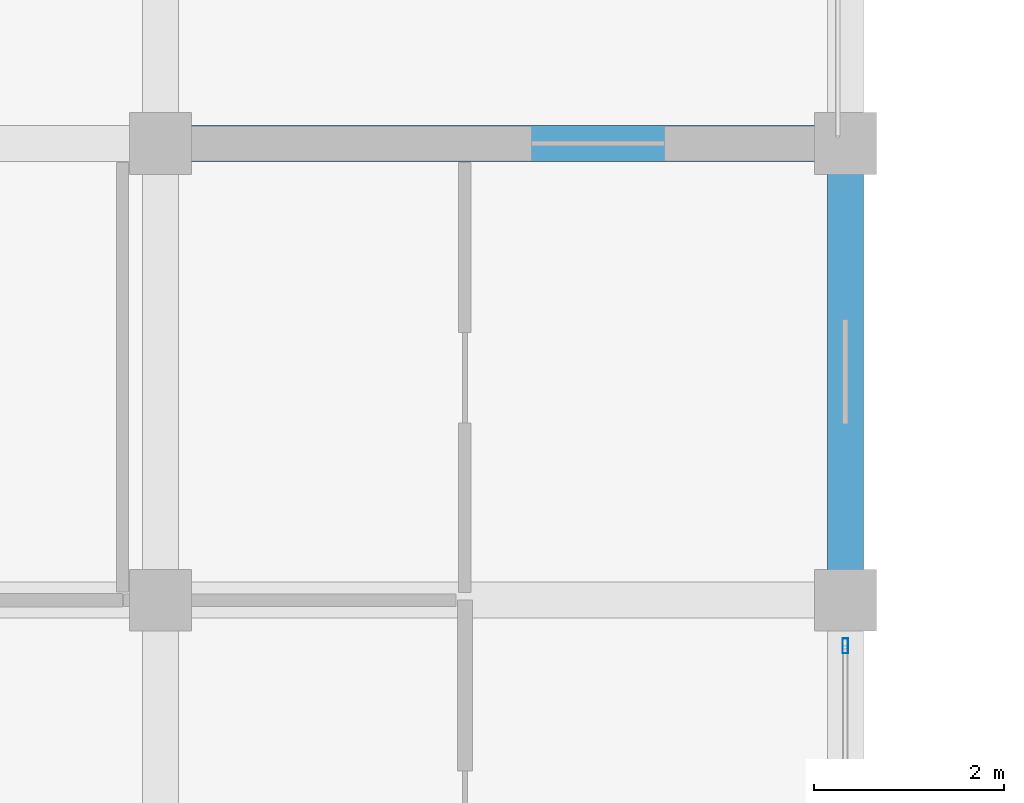
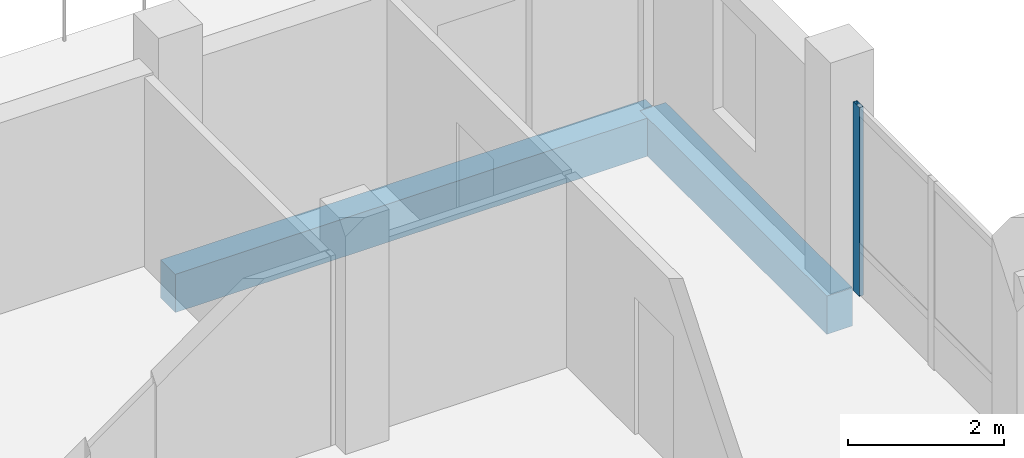
# One storey, part 13 of 93: 2 beams, 1 member, 1 element without a shape of its own.
"""IFC4 building model written with IfcOpenShell, lengths in metres."""

import ifcopenshell
import ifcopenshell.guid

model = None  # the IFC model being written
_history = None  # IfcOwnerHistory: only IFC2X3 demands one
_inside = {}  # id of a spatial element -> (the spatial element, [elements in it])
_under = {}  # id of a project, library or spatial element -> (it, [spatial elements below it])
_declared = {}  # id of a project -> (the project, [libraries it declares])
_typed = {}  # id of a type object -> (the type object, [elements of that type])
_made_of = {}  # id of a material, layer set ... -> (it, [elements and type objects made of it])


def new_model(schema):
    """Start an empty IFC model of exactly this schema.

    Asked for "IFC4X3", IfcOpenShell would pick the latest addendum, in which some entities
    have other attributes; the version numbers below select the first issue.
    IFC2X3 requires an IfcOwnerHistory on every rooted entity: one is made here for all.
    """
    global model, _history
    if schema == "IFC4X3":
        model = ifcopenshell.file(schema_version=(4, 3, 0, 0))
    else:
        model = ifcopenshell.file(schema=schema)
    _inside.clear()
    _under.clear()
    _declared.clear()
    _typed.clear()
    _made_of.clear()
    _history = None
    if model.schema == "IFC2X3":
        org = make("IfcOrganization", Name="unknown")
        user = make(
            "IfcPersonAndOrganization",
            ThePerson=make("IfcPerson", FamilyName="unknown"),
            TheOrganization=org,
        )
        app = make(
            "IfcApplication",
            ApplicationDeveloper=org,
            Version="unknown",
            ApplicationFullName="unknown",
            ApplicationIdentifier="unknown",
        )
        _history = make(
            "IfcOwnerHistory",
            OwningUser=user,
            OwningApplication=app,
            ChangeAction="ADDED",
            CreationDate=0,
        )
    return model


def make(cls, **values):
    """One entity of the class cls with the attributes given. An attribute that is None is left unset."""
    return model.create_entity(
        cls, **{name: value for name, value in values.items() if value is not None}
    )


def rooted(cls, **values):
    """An entity with a GlobalId (a new one), such as an element, a storey or a relation."""
    return make(cls, GlobalId=ifcopenshell.guid.new(), OwnerHistory=_history, **values)


def si_unit(unit_type, name, prefix=None):
    """IfcSIUnit, for example si_unit("LENGTHUNIT", "METRE", prefix="MILLI")."""
    return make("IfcSIUnit", UnitType=unit_type, Prefix=prefix, Name=name)


def assignment(units):
    """IfcUnitAssignment: the units of a project."""
    return None if units is None else make("IfcUnitAssignment", Units=units)


def point(xyz):
    """IfcCartesianPoint."""
    return None if xyz is None else make("IfcCartesianPoint", Coordinates=xyz)


def direction(xyz):
    """IfcDirection."""
    return None if xyz is None else make("IfcDirection", DirectionRatios=xyz)


def frame(location, z_axis=None, x_axis=None):
    """IfcAxis2Placement3D, a coordinate frame: its origin and axes. An axis left out is left unset."""
    return make(
        "IfcAxis2Placement3D",
        Location=point(location),
        Axis=direction(z_axis),
        RefDirection=direction(x_axis),
    )


def frame_2d(location, x_axis=None):
    """IfcAxis2Placement2D, a coordinate frame in the plane: its origin and x axis."""
    return make(
        "IfcAxis2Placement2D", Location=point(location), RefDirection=direction(x_axis)
    )


def origin():
    """The frame at (0, 0, 0) with its axes left unset."""
    return frame((0.0, 0.0, 0.0))


def origin_2d():
    """The frame at (0, 0) in the plane with its x axis left unset."""
    return frame_2d((0.0, 0.0))


def place(relative_to, where):
    """IfcLocalPlacement: puts the frame where relative to a parent placement (None: the world)."""
    return make(
        "IfcLocalPlacement", PlacementRelTo=relative_to, RelativePlacement=where
    )


def context(
    kind, dimensions, precision=None, world=None, true_north=None, identifier=None
):
    """IfcGeometricRepresentationContext, for example the 3D "Model" context."""
    return make(
        "IfcGeometricRepresentationContext",
        ContextIdentifier=identifier,
        ContextType=kind,
        CoordinateSpaceDimension=dimensions,
        Precision=precision,
        WorldCoordinateSystem=world,
        TrueNorth=true_north,
    )


def subcontext(parent, identifier, kind, view, scale=None):
    """IfcGeometricRepresentationSubContext, for example "Body" below "Model"."""
    return make(
        "IfcGeometricRepresentationSubContext",
        ContextIdentifier=identifier,
        ContextType=kind,
        ParentContext=parent,
        TargetScale=scale,
        TargetView=view,
    )


def project(units=None, contexts=None):
    """IfcProject with its units and contexts."""
    return rooted(
        "IfcProject",
        Name="project",
        RepresentationContexts=contexts,
        UnitsInContext=assignment(units),
    )


def spatial(cls, under=None, at=None, **own):
    """A site, building, storey or space (cls), placed at a placement, below another one or the project."""
    s = rooted(cls, ObjectPlacement=at, **own)
    if under is not None:
        _under.setdefault(under.id(), (under, []))[1].append(s)
    return s


def profile(cls, at=None, kind="AREA", **sizes):
    """A parametric profile (cls). Its sizes go by their IFC names, for example OverallWidth=200.0."""
    return make(cls, ProfileType=kind, Position=at, **sizes)


def rectangle(**sizes):
    """IfcRectangleProfileDef."""
    return profile("IfcRectangleProfileDef", **sizes)


def hollow_rectangle(**sizes):
    """IfcRectangleHollowProfileDef."""
    return profile("IfcRectangleHollowProfileDef", **sizes)


def extrude(swept, where, along, depth):
    """IfcExtrudedAreaSolid: the profile swept, set in the frame where, extruded along a direction by depth."""
    return make(
        "IfcExtrudedAreaSolid",
        SweptArea=swept,
        Position=where,
        ExtrudedDirection=direction(along),
        Depth=depth,
    )


def shape(context_of_items, identifier, shape_type, items):
    """IfcShapeRepresentation: the items that make up one representation, for example the "Body"."""
    return make(
        "IfcShapeRepresentation",
        ContextOfItems=context_of_items,
        RepresentationIdentifier=identifier,
        RepresentationType=shape_type,
        Items=items,
    )


def material(Name=None, Category=None):
    """IfcMaterial."""
    return make("IfcMaterial", Name=Name, Category=Category)


def material_profile(
    of_material, cross_section, Name=None, Category=None, Priority=None
):
    """IfcMaterialProfile: a cross section and its material."""
    return make(
        "IfcMaterialProfile",
        Name=Name,
        Material=of_material,
        Profile=cross_section,
        Priority=Priority,
        Category=Category,
    )


def profile_set(profiles, Name=None, composite=None):
    """IfcMaterialProfileSet."""
    return make(
        "IfcMaterialProfileSet",
        Name=Name,
        MaterialProfiles=profiles,
        CompositeProfile=composite,
    )


def made_of(thing, what):
    """Note that an element or type object is made of a material, layer set ...; save() writes the relation."""
    if what is not None:
        _made_of.setdefault(what.id(), (what, []))[1].append(thing)
    return thing


def type_object(cls, material=None, **own):
    """A type object (cls), such as IfcWallType, which elements share."""
    return made_of(rooted(cls, **own), material)


def element(
    cls,
    number,
    at=None,
    inside=None,
    cuts=None,
    type_object=None,
    material=None,
    context=None,
    identifier="Body",
    shape_type=None,
    held_by="IfcProductDefinitionShape",
    body=None,
    shapes=None,
    **own,
):
    """One element of the class cls, such as IfcWall. Its Tag is "e" and its number.

    at: its placement. inside: the storey or other place that contains it. cuts: it is an
    opening in that element (IfcRelVoidsElement). A single representation is given by context,
    identifier, shape_type and body (its items); several are given by shapes. held_by: the class
    of the entity that holds the representations. save() writes the other relations.
    """
    e = rooted(cls, Tag="e%d" % number, ObjectPlacement=at, **own)
    if body is not None:
        shapes = [shape(context, identifier, shape_type, body)]
    if shapes is not None:
        e.Representation = make(held_by, Representations=shapes)
    if inside is not None:
        _inside.setdefault(inside.id(), (inside, []))[1].append(e)
    if cuts is not None:
        rooted(
            "IfcRelVoidsElement", RelatingBuildingElement=cuts, RelatedOpeningElement=e
        )
    if type_object is not None:
        _typed.setdefault(type_object.id(), (type_object, []))[1].append(e)
    return made_of(e, material)


def aggregate(whole, parts):
    """IfcRelAggregates: a whole, such as a stair, and the parts it consists of."""
    return rooted("IfcRelAggregates", RelatingObject=whole, RelatedObjects=parts)


def save(model, path):
    """Write the relations noted so far, then the file.

    IfcRelAggregates (storeys below a building ...), IfcRelContainedInSpatialStructure (elements
    in a storey), IfcRelDefinesByType, IfcRelAssociatesMaterial and IfcRelDeclares: one each for
    every whole, place, type object, material and project.
    """
    for whole, parts in _under.values():
        aggregate(whole, parts)
    for where, things in _inside.values():
        rooted(
            "IfcRelContainedInSpatialStructure",
            RelatedElements=things,
            RelatingStructure=where,
        )
    for kind, things in _typed.values():
        rooted("IfcRelDefinesByType", RelatedObjects=things, RelatingType=kind)
    for what, things in _made_of.values():
        rooted("IfcRelAssociatesMaterial", RelatedObjects=things, RelatingMaterial=what)
    for by, libraries in _declared.values():
        rooted("IfcRelDeclares", RelatingContext=by, RelatedDefinitions=libraries)
    model.write(path)


model = new_model("IFC4")

# Units and contexts
model_context = context("Model", 3, precision=1e-05, world=origin(), true_north=direction((0.0, 1.0)))
body_context = subcontext(model_context, "Body", "Model", "MODEL_VIEW")
ifc_project = project(units=[si_unit("LENGTHUNIT", "METRE"), si_unit("AREAUNIT", "SQUARE_METRE"), si_unit("VOLUMEUNIT", "CUBIC_METRE"), si_unit("PLANEANGLEUNIT", "RADIAN"), si_unit("MASSUNIT", "GRAM", prefix="KILO")], contexts=[model_context])

# Site, building, storey
site_placement = place(None, origin())
site = spatial("IfcSite", under=ifc_project, at=site_placement, CompositionType="ELEMENT")
building_placement = place(site_placement, origin())
building = spatial("IfcBuilding", under=site, at=building_placement, Name="Zornivar Specialist Clinic", CompositionType="ELEMENT")
storey_placement = place(building_placement, frame((0.0, 0.0, 8.39990234375)))
storey = spatial("IfcBuildingStorey", under=building, at=storey_placement, Name="L02", CompositionType="ELEMENT", Elevation=8.39990234375)

# Beams
ifc_material_1 = material(Name="Concrete C30/37", Category="concrete")
ifc_material_profile_1 = material_profile(ifc_material_1, rectangle(XDim=0.3798828125, YDim=0.60009765625, at=origin_2d()), Name="RC 380x600")
ifc_profile_set_1 = profile_set([ifc_material_profile_1], Name="Concrete C30/37")
beam_type = type_object("IfcBeamType", Name="BM-RC-380x600", PredefinedType="BEAM", material=ifc_profile_set_1)
beam_1_placement = place(storey_placement, frame((7.199951171875, 52.800048828125, -0.579833984375), z_axis=(1.0, 0.0, 0.0), x_axis=(0.0, 1.0, 0.0)))
element("IfcBeam", 1, at=beam_1_placement, inside=storey, type_object=beam_type, Name="bm:V2:L02:x:528:1", PredefinedType="BEAM", context=body_context, shape_type="SweptSolid", body=[
    extrude(rectangle(XDim=0.3798828125, YDim=0.60009765625, at=origin_2d()), origin(), (0.0, 0.0, 1.0), 7.199951171875),
])
beam_2_placement = place(storey_placement, frame((14.39990234375, 48.0, -0.579833984375), z_axis=(0.0, 1.0, 0.0), x_axis=(-1.0, 0.0, 0.0)))
element("IfcBeam", 2, at=beam_2_placement, inside=storey, type_object=beam_type, Name="bm:V2:L02:y:144:7", PredefinedType="BEAM", context=body_context, shape_type="SweptSolid", body=[
    extrude(rectangle(XDim=0.3798828125, YDim=0.60009765625, at=origin_2d()), origin(), (0.0, 0.0, 1.0), 4.800048828125),
])

# Curtain wall, member
ifc_material_2 = material(Name="Aluminium and Low-E Glass Curtain Wall", Category="aluminium")
curtain_wall_type = type_object("IfcCurtainWallType", Name="CW-REVAK-COURT", PredefinedType="NOTDEFINED", material=ifc_material_2)
curtain_wall_placement = place(storey_placement, origin())
curtain_wall = element("IfcCurtainWall", 3, at=curtain_wall_placement, inside=storey, type_object=curtain_wall_type, Name="cw:V2:L02:18", PredefinedType="NOTDEFINED")
ifc_material_3 = material(Name="Aluminium AW-6060", Category="aluminium")
ifc_material_profile_2 = material_profile(ifc_material_3, hollow_rectangle(XDim=0.06005859375, YDim=0.159912109375, WallThickness=0.00390625, at=origin_2d()), Name="ALU 60x160x4")
ifc_profile_set_2 = profile_set([ifc_material_profile_2], Name="Aluminium AW-6060")
member_type = type_object("IfcMemberType", Name="CWM-MUL-160", PredefinedType="MULLION", material=ifc_profile_set_2)
member_placement = place(storey_placement, frame((14.39990234375, 47.52001953125, 0.0), z_axis=(0.0, 0.0, 1.0), x_axis=(1.0, 0.0, 0.0)))
member = element("IfcMember", 4, at=member_placement, type_object=member_type, Name="cw:V2:L02:18:mul:2", PredefinedType="MULLION", context=body_context, shape_type="SweptSolid", body=[
    extrude(hollow_rectangle(XDim=0.06005859375, YDim=0.159912109375, WallThickness=0.00390625, at=origin_2d()), origin(), (0.0, 0.0, 1.0), 2.960205078125),
])
aggregate(curtain_wall, [member])

save(model, "model.ifc")
